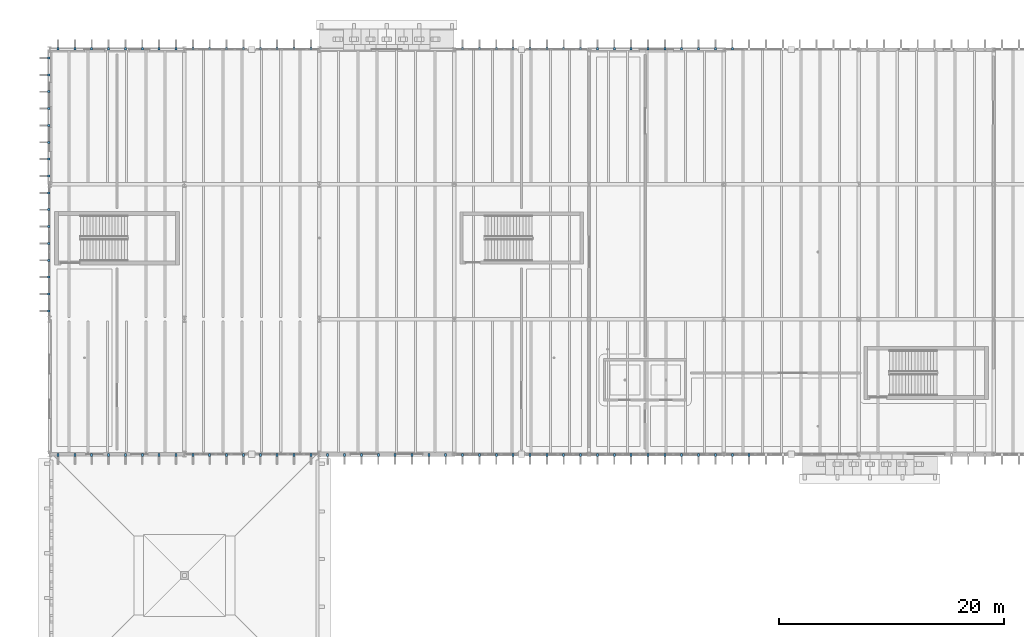
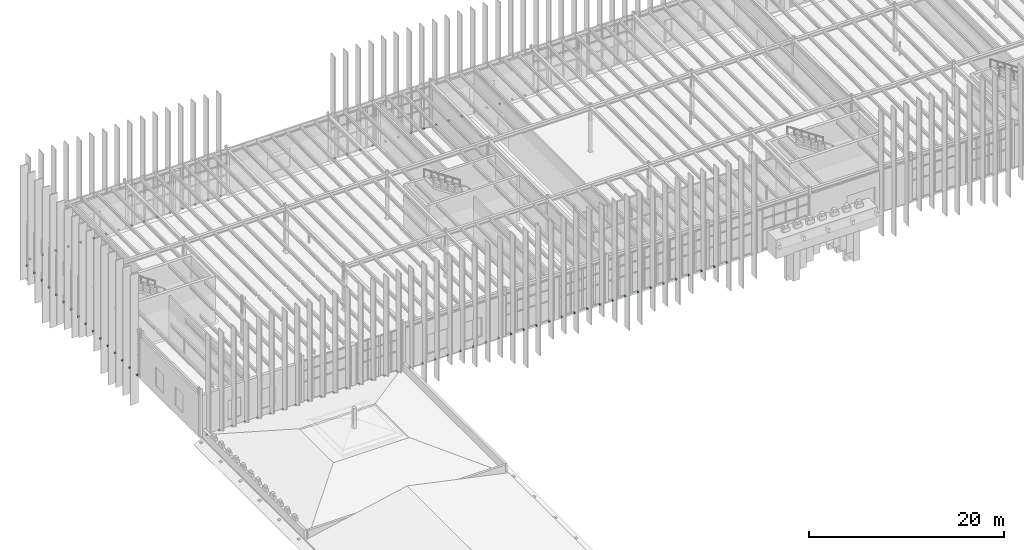
# One storey, part 57 of 83: 91 discrete accessories.
"""IFC4 building model written with IfcOpenShell, lengths in metres."""

import ifcopenshell
import ifcopenshell.guid

model = None  # the IFC model being written
_history = None  # IfcOwnerHistory: only IFC2X3 demands one
_inside = {}  # id of a spatial element -> (the spatial element, [elements in it])
_under = {}  # id of a project, library or spatial element -> (it, [spatial elements below it])
_declared = {}  # id of a project -> (the project, [libraries it declares])
_typed = {}  # id of a type object -> (the type object, [elements of that type])
_made_of = {}  # id of a material, layer set ... -> (it, [elements and type objects made of it])


def new_model(schema):
    """Start an empty IFC model of exactly this schema.

    Asked for "IFC4X3", IfcOpenShell would pick the latest addendum, in which some entities
    have other attributes; the version numbers below select the first issue.
    IFC2X3 requires an IfcOwnerHistory on every rooted entity: one is made here for all.
    """
    global model, _history
    if schema == "IFC4X3":
        model = ifcopenshell.file(schema_version=(4, 3, 0, 0))
    else:
        model = ifcopenshell.file(schema=schema)
    _inside.clear()
    _under.clear()
    _declared.clear()
    _typed.clear()
    _made_of.clear()
    _history = None
    if model.schema == "IFC2X3":
        org = make("IfcOrganization", Name="unknown")
        user = make(
            "IfcPersonAndOrganization",
            ThePerson=make("IfcPerson", FamilyName="unknown"),
            TheOrganization=org,
        )
        app = make(
            "IfcApplication",
            ApplicationDeveloper=org,
            Version="unknown",
            ApplicationFullName="unknown",
            ApplicationIdentifier="unknown",
        )
        _history = make(
            "IfcOwnerHistory",
            OwningUser=user,
            OwningApplication=app,
            ChangeAction="ADDED",
            CreationDate=0,
        )
    return model


def make(cls, **values):
    """One entity of the class cls with the attributes given. An attribute that is None is left unset."""
    return model.create_entity(
        cls, **{name: value for name, value in values.items() if value is not None}
    )


def rooted(cls, **values):
    """An entity with a GlobalId (a new one), such as an element, a storey or a relation."""
    return make(cls, GlobalId=ifcopenshell.guid.new(), OwnerHistory=_history, **values)


def si_unit(unit_type, name, prefix=None):
    """IfcSIUnit, for example si_unit("LENGTHUNIT", "METRE", prefix="MILLI")."""
    return make("IfcSIUnit", UnitType=unit_type, Prefix=prefix, Name=name)


def assignment(units):
    """IfcUnitAssignment: the units of a project."""
    return None if units is None else make("IfcUnitAssignment", Units=units)


def point(xyz):
    """IfcCartesianPoint."""
    return None if xyz is None else make("IfcCartesianPoint", Coordinates=xyz)


def direction(xyz):
    """IfcDirection."""
    return None if xyz is None else make("IfcDirection", DirectionRatios=xyz)


def frame(location, z_axis=None, x_axis=None):
    """IfcAxis2Placement3D, a coordinate frame: its origin and axes. An axis left out is left unset."""
    return make(
        "IfcAxis2Placement3D",
        Location=point(location),
        Axis=direction(z_axis),
        RefDirection=direction(x_axis),
    )


def frame_2d(location, x_axis=None):
    """IfcAxis2Placement2D, a coordinate frame in the plane: its origin and x axis."""
    return make(
        "IfcAxis2Placement2D", Location=point(location), RefDirection=direction(x_axis)
    )


def origin():
    """The frame at (0, 0, 0) with its axes left unset."""
    return frame((0.0, 0.0, 0.0))


def origin_2d():
    """The frame at (0, 0) in the plane with its x axis left unset."""
    return frame_2d((0.0, 0.0))


def place(relative_to, where):
    """IfcLocalPlacement: puts the frame where relative to a parent placement (None: the world)."""
    return make(
        "IfcLocalPlacement", PlacementRelTo=relative_to, RelativePlacement=where
    )


def context(
    kind, dimensions, precision=None, world=None, true_north=None, identifier=None
):
    """IfcGeometricRepresentationContext, for example the 3D "Model" context."""
    return make(
        "IfcGeometricRepresentationContext",
        ContextIdentifier=identifier,
        ContextType=kind,
        CoordinateSpaceDimension=dimensions,
        Precision=precision,
        WorldCoordinateSystem=world,
        TrueNorth=true_north,
    )


def subcontext(parent, identifier, kind, view, scale=None):
    """IfcGeometricRepresentationSubContext, for example "Body" below "Model"."""
    return make(
        "IfcGeometricRepresentationSubContext",
        ContextIdentifier=identifier,
        ContextType=kind,
        ParentContext=parent,
        TargetScale=scale,
        TargetView=view,
    )


def project(units=None, contexts=None):
    """IfcProject with its units and contexts."""
    return rooted(
        "IfcProject",
        Name="project",
        RepresentationContexts=contexts,
        UnitsInContext=assignment(units),
    )


def spatial(cls, under=None, at=None, **own):
    """A site, building, storey or space (cls), placed at a placement, below another one or the project."""
    s = rooted(cls, ObjectPlacement=at, **own)
    if under is not None:
        _under.setdefault(under.id(), (under, []))[1].append(s)
    return s


def profile(cls, at=None, kind="AREA", **sizes):
    """A parametric profile (cls). Its sizes go by their IFC names, for example OverallWidth=200.0."""
    return make(cls, ProfileType=kind, Position=at, **sizes)


def rectangle(**sizes):
    """IfcRectangleProfileDef."""
    return profile("IfcRectangleProfileDef", **sizes)


def extrude(swept, where, along, depth):
    """IfcExtrudedAreaSolid: the profile swept, set in the frame where, extruded along a direction by depth."""
    return make(
        "IfcExtrudedAreaSolid",
        SweptArea=swept,
        Position=where,
        ExtrudedDirection=direction(along),
        Depth=depth,
    )


def shape(context_of_items, identifier, shape_type, items):
    """IfcShapeRepresentation: the items that make up one representation, for example the "Body"."""
    return make(
        "IfcShapeRepresentation",
        ContextOfItems=context_of_items,
        RepresentationIdentifier=identifier,
        RepresentationType=shape_type,
        Items=items,
    )


def material(Name=None, Category=None):
    """IfcMaterial."""
    return make("IfcMaterial", Name=Name, Category=Category)


def made_of(thing, what):
    """Note that an element or type object is made of a material, layer set ...; save() writes the relation."""
    if what is not None:
        _made_of.setdefault(what.id(), (what, []))[1].append(thing)
    return thing


def type_object(cls, material=None, **own):
    """A type object (cls), such as IfcWallType, which elements share."""
    return made_of(rooted(cls, **own), material)


def element(
    cls,
    number,
    at=None,
    inside=None,
    cuts=None,
    type_object=None,
    material=None,
    context=None,
    identifier="Body",
    shape_type=None,
    held_by="IfcProductDefinitionShape",
    body=None,
    shapes=None,
    **own,
):
    """One element of the class cls, such as IfcWall. Its Tag is "e" and its number.

    at: its placement. inside: the storey or other place that contains it. cuts: it is an
    opening in that element (IfcRelVoidsElement). A single representation is given by context,
    identifier, shape_type and body (its items); several are given by shapes. held_by: the class
    of the entity that holds the representations. save() writes the other relations.
    """
    e = rooted(cls, Tag="e%d" % number, ObjectPlacement=at, **own)
    if body is not None:
        shapes = [shape(context, identifier, shape_type, body)]
    if shapes is not None:
        e.Representation = make(held_by, Representations=shapes)
    if inside is not None:
        _inside.setdefault(inside.id(), (inside, []))[1].append(e)
    if cuts is not None:
        rooted(
            "IfcRelVoidsElement", RelatingBuildingElement=cuts, RelatedOpeningElement=e
        )
    if type_object is not None:
        _typed.setdefault(type_object.id(), (type_object, []))[1].append(e)
    return made_of(e, material)


def aggregate(whole, parts):
    """IfcRelAggregates: a whole, such as a stair, and the parts it consists of."""
    return rooted("IfcRelAggregates", RelatingObject=whole, RelatedObjects=parts)


def save(model, path):
    """Write the relations noted so far, then the file.

    IfcRelAggregates (storeys below a building ...), IfcRelContainedInSpatialStructure (elements
    in a storey), IfcRelDefinesByType, IfcRelAssociatesMaterial and IfcRelDeclares: one each for
    every whole, place, type object, material and project.
    """
    for whole, parts in _under.values():
        aggregate(whole, parts)
    for where, things in _inside.values():
        rooted(
            "IfcRelContainedInSpatialStructure",
            RelatedElements=things,
            RelatingStructure=where,
        )
    for kind, things in _typed.values():
        rooted("IfcRelDefinesByType", RelatedObjects=things, RelatingType=kind)
    for what, things in _made_of.values():
        rooted("IfcRelAssociatesMaterial", RelatedObjects=things, RelatingMaterial=what)
    for by, libraries in _declared.values():
        rooted("IfcRelDeclares", RelatingContext=by, RelatedDefinitions=libraries)
    model.write(path)


model = new_model("IFC4")

# Units and contexts
model_context = context("Model", 3, precision=1e-05, world=origin(), true_north=direction((0.0, 1.0)))
body_context = subcontext(model_context, "Body", "Model", "MODEL_VIEW")
ifc_project = project(units=[si_unit("LENGTHUNIT", "METRE"), si_unit("AREAUNIT", "SQUARE_METRE"), si_unit("VOLUMEUNIT", "CUBIC_METRE"), si_unit("PLANEANGLEUNIT", "RADIAN"), si_unit("MASSUNIT", "GRAM", prefix="KILO")], contexts=[model_context])

# Site, building, storey
site_placement = place(None, origin())
site = spatial("IfcSite", under=ifc_project, at=site_placement, CompositionType="ELEMENT")
building_placement = place(site_placement, origin())
building = spatial("IfcBuilding", under=site, at=building_placement, Name="Zlatogorsky Bluff Art Gallery", CompositionType="ELEMENT")
storey_placement = place(building_placement, frame((0.0, 0.0, 10.800048828125)))
storey = spatial("IfcBuildingStorey", under=building, at=storey_placement, Name="L02", CompositionType="ELEMENT", Elevation=10.800048828125)

# Discrete accessories
ifc_material = material(Name="Steel S355", Category="steel")
discrete_accessory_type = type_object("IfcDiscreteAccessoryType", Name="Stainless Facade Fin Bracket BRK-01", PredefinedType="BRACKET", material=ifc_material)
for number, where, z_axis, x_axis, name in (
    (1, (0.75, 83.919921875, -0.1298828125), (0.0, 0.0, 1.0), (1.0, 0.0, 0.0), "Fin slab-edge bracket S.001.L02"),
    (2, (2.25, 83.919921875, -0.1298828125), (0.0, 0.0, 1.0), (1.0, 0.0, 0.0), "Fin slab-edge bracket S.002.L02"),
    (3, (3.75, 83.919921875, -0.1298828125), (0.0, 0.0, 1.0), (1.0, 0.0, 0.0), "Fin slab-edge bracket S.003.L02"),
    (4, (5.25, 83.919921875, -0.1298828125), (0.0, 0.0, 1.0), (1.0, 0.0, 0.0), "Fin slab-edge bracket S.004.L02"),
    (5, (6.75, 83.919921875, -0.1298828125), (0.0, 0.0, 1.0), (1.0, 0.0, 0.0), "Fin slab-edge bracket S.005.L02"),
    (6, (8.25, 83.919921875, -0.1298828125), (0.0, 0.0, 1.0), (1.0, 0.0, 0.0), "Fin slab-edge bracket S.006.L02"),
    (7, (9.75, 83.919921875, -0.1298828125), (0.0, 0.0, 1.0), (1.0, 0.0, 0.0), "Fin slab-edge bracket S.007.L02"),
    (8, (11.25, 83.919921875, -0.1298828125), (0.0, 0.0, 1.0), (1.0, 0.0, 0.0), "Fin slab-edge bracket S.008.L02"),
    (9, (12.75, 83.919921875, -0.1298828125), (0.0, 0.0, 1.0), (1.0, 0.0, 0.0), "Fin slab-edge bracket S.009.L02"),
    (10, (14.25, 83.919921875, -0.1298828125), (0.0, 0.0, 1.0), (1.0, 0.0, 0.0), "Fin slab-edge bracket S.010.L02"),
    (11, (15.75, 83.919921875, -0.1298828125), (0.0, 0.0, 1.0), (1.0, 0.0, 0.0), "Fin slab-edge bracket S.011.L02"),
    (12, (17.25, 83.919921875, -0.1298828125), (0.0, 0.0, 1.0), (1.0, 0.0, 0.0), "Fin slab-edge bracket S.012.L02"),
    (13, (18.75, 83.919921875, -0.1298828125), (0.0, 0.0, 1.0), (1.0, 0.0, 0.0), "Fin slab-edge bracket S.013.L02"),
    (14, (20.25, 83.919921875, -0.1298828125), (0.0, 0.0, 1.0), (1.0, 0.0, 0.0), "Fin slab-edge bracket S.014.L02"),
    (15, (21.75, 83.919921875, -0.1298828125), (0.0, 0.0, 1.0), (1.0, 0.0, 0.0), "Fin slab-edge bracket S.015.L02"),
    (16, (23.25, 83.919921875, -0.1298828125), (0.0, 0.0, 1.0), (1.0, 0.0, 0.0), "Fin slab-edge bracket S.016.L02"),
    (17, (24.75, 83.919921875, -0.1298828125), (0.0, 0.0, 1.0), (1.0, 0.0, 0.0), "Fin slab-edge bracket S.017.L02"),
    (18, (26.25, 83.919921875, -0.1298828125), (0.0, 0.0, 1.0), (1.0, 0.0, 0.0), "Fin slab-edge bracket S.018.L02"),
    (19, (27.75, 83.919921875, -0.1298828125), (0.0, 0.0, 1.0), (1.0, 0.0, 0.0), "Fin slab-edge bracket S.019.L02"),
    (20, (29.25, 83.919921875, -0.1298828125), (0.0, 0.0, 1.0), (1.0, 0.0, 0.0), "Fin slab-edge bracket S.020.L02"),
    (21, (30.75, 83.919921875, -0.1298828125), (0.0, 0.0, 1.0), (1.0, 0.0, 0.0), "Fin slab-edge bracket S.021.L02"),
    (22, (32.25, 83.919921875, -0.1298828125), (0.0, 0.0, 1.0), (1.0, 0.0, 0.0), "Fin slab-edge bracket S.022.L02"),
    (23, (33.75, 83.919921875, -0.1298828125), (0.0, 0.0, 1.0), (1.0, 0.0, 0.0), "Fin slab-edge bracket S.023.L02"),
    (24, (35.25, 83.919921875, -0.1298828125), (0.0, 0.0, 1.0), (1.0, 0.0, 0.0), "Fin slab-edge bracket S.024.L02"),
    (25, (36.75, 83.919921875, -0.1298828125), (0.0, 0.0, 1.0), (1.0, 0.0, 0.0), "Fin slab-edge bracket S.025.L02"),
    (26, (38.25, 83.919921875, -0.1298828125), (0.0, 0.0, 1.0), (1.0, 0.0, 0.0), "Fin slab-edge bracket S.026.L02"),
    (27, (39.75, 83.919921875, -0.1298828125), (0.0, 0.0, 1.0), (1.0, 0.0, 0.0), "Fin slab-edge bracket S.027.L02"),
    (28, (41.25, 83.919921875, -0.1298828125), (0.0, 0.0, 1.0), (1.0, 0.0, 0.0), "Fin slab-edge bracket S.028.L02"),
    (29, (42.75, 83.919921875, -0.1298828125), (0.0, 0.0, 1.0), (1.0, 0.0, 0.0), "Fin slab-edge bracket S.029.L02"),
    (30, (44.25, 83.919921875, -0.1298828125), (0.0, 0.0, 1.0), (1.0, 0.0, 0.0), "Fin slab-edge bracket S.030.L02"),
    (31, (45.75, 83.919921875, -0.1298828125), (0.0, 0.0, 1.0), (1.0, 0.0, 0.0), "Fin slab-edge bracket S.031.L02"),
    (32, (47.25, 83.919921875, -0.1298828125), (0.0, 0.0, 1.0), (1.0, 0.0, 0.0), "Fin slab-edge bracket S.032.L02"),
    (33, (48.75, 83.919921875, -0.1298828125), (0.0, 0.0, 1.0), (1.0, 0.0, 0.0), "Fin slab-edge bracket S.033.L02"),
    (34, (50.25, 83.919921875, -0.1298828125), (0.0, 0.0, 1.0), (1.0, 0.0, 0.0), "Fin slab-edge bracket S.034.L02"),
    (35, (51.75, 83.919921875, -0.1298828125), (0.0, 0.0, 1.0), (1.0, 0.0, 0.0), "Fin slab-edge bracket S.035.L02"),
    (36, (53.25, 83.919921875, -0.1298828125), (0.0, 0.0, 1.0), (1.0, 0.0, 0.0), "Fin slab-edge bracket S.036.L02"),
    (37, (54.75, 83.919921875, -0.1298828125), (0.0, 0.0, 1.0), (1.0, 0.0, 0.0), "Fin slab-edge bracket S.037.L02"),
    (38, (56.25, 83.919921875, -0.1298828125), (0.0, 0.0, 1.0), (1.0, 0.0, 0.0), "Fin slab-edge bracket S.038.L02"),
    (39, (57.75, 83.919921875, -0.1298828125), (0.0, 0.0, 1.0), (1.0, 0.0, 0.0), "Fin slab-edge bracket S.039.L02"),
    (40, (59.25, 83.919921875, -0.1298828125), (0.0, 0.0, 1.0), (1.0, 0.0, 0.0), "Fin slab-edge bracket S.040.L02"),
    (41, (60.75, 83.919921875, -0.1298828125), (0.0, 0.0, 1.0), (1.0, 0.0, 0.0), "Fin slab-edge bracket S.041.L02"),
    (42, (62.25, 83.919921875, -0.1298828125), (0.0, 0.0, 1.0), (1.0, 0.0, 0.0), "Fin slab-edge bracket S.042.L02"),
    (43, (0.75, 120.080078125, -0.1298828125), (0.0, 0.0, 1.0), (1.0, 0.0, 0.0), "Fin slab-edge bracket N.072.L02"),
    (44, (2.25, 120.080078125, -0.1298828125), (0.0, 0.0, 1.0), (1.0, 0.0, 0.0), "Fin slab-edge bracket N.073.L02"),
    (45, (3.75, 120.080078125, -0.1298828125), (0.0, 0.0, 1.0), (1.0, 0.0, 0.0), "Fin slab-edge bracket N.074.L02"),
    (46, (5.25, 120.080078125, -0.1298828125), (0.0, 0.0, 1.0), (1.0, 0.0, 0.0), "Fin slab-edge bracket N.075.L02"),
    (47, (6.75, 120.080078125, -0.1298828125), (0.0, 0.0, 1.0), (1.0, 0.0, 0.0), "Fin slab-edge bracket N.076.L02"),
    (48, (8.25, 120.080078125, -0.1298828125), (0.0, 0.0, 1.0), (1.0, 0.0, 0.0), "Fin slab-edge bracket N.077.L02"),
    (49, (9.75, 120.080078125, -0.1298828125), (0.0, 0.0, 1.0), (1.0, 0.0, 0.0), "Fin slab-edge bracket N.078.L02"),
    (50, (11.25, 120.080078125, -0.1298828125), (0.0, 0.0, 1.0), (1.0, 0.0, 0.0), "Fin slab-edge bracket N.079.L02"),
    (51, (12.75, 120.080078125, -0.1298828125), (0.0, 0.0, 1.0), (1.0, 0.0, 0.0), "Fin slab-edge bracket N.080.L02"),
    (52, (14.25, 120.080078125, -0.1298828125), (0.0, 0.0, 1.0), (1.0, 0.0, 0.0), "Fin slab-edge bracket N.081.L02"),
    (53, (15.75, 120.080078125, -0.1298828125), (0.0, 0.0, 1.0), (1.0, 0.0, 0.0), "Fin slab-edge bracket N.082.L02"),
    (54, (17.25, 120.080078125, -0.1298828125), (0.0, 0.0, 1.0), (1.0, 0.0, 0.0), "Fin slab-edge bracket N.083.L02"),
    (55, (18.75, 120.080078125, -0.1298828125), (0.0, 0.0, 1.0), (1.0, 0.0, 0.0), "Fin slab-edge bracket N.084.L02"),
    (56, (20.25, 120.080078125, -0.1298828125), (0.0, 0.0, 1.0), (1.0, 0.0, 0.0), "Fin slab-edge bracket N.085.L02"),
    (57, (21.75, 120.080078125, -0.1298828125), (0.0, 0.0, 1.0), (1.0, 0.0, 0.0), "Fin slab-edge bracket N.086.L02"),
    (58, (23.25, 120.080078125, -0.1298828125), (0.0, 0.0, 1.0), (1.0, 0.0, 0.0), "Fin slab-edge bracket N.087.L02"),
    (59, (36.75, 120.080078125, -0.1298828125), (0.0, 0.0, 1.0), (1.0, 0.0, 0.0), "Fin slab-edge bracket N.088.L02"),
    (60, (38.25, 120.080078125, -0.1298828125), (0.0, 0.0, 1.0), (1.0, 0.0, 0.0), "Fin slab-edge bracket N.089.L02"),
    (61, (39.75, 120.080078125, -0.1298828125), (0.0, 0.0, 1.0), (1.0, 0.0, 0.0), "Fin slab-edge bracket N.090.L02"),
    (62, (41.25, 120.080078125, -0.1298828125), (0.0, 0.0, 1.0), (1.0, 0.0, 0.0), "Fin slab-edge bracket N.091.L02"),
    (63, (42.75, 120.080078125, -0.1298828125), (0.0, 0.0, 1.0), (1.0, 0.0, 0.0), "Fin slab-edge bracket N.092.L02"),
    (64, (44.25, 120.080078125, -0.1298828125), (0.0, 0.0, 1.0), (1.0, 0.0, 0.0), "Fin slab-edge bracket N.093.L02"),
    (65, (45.75, 120.080078125, -0.1298828125), (0.0, 0.0, 1.0), (1.0, 0.0, 0.0), "Fin slab-edge bracket N.094.L02"),
    (66, (47.25, 120.080078125, -0.1298828125), (0.0, 0.0, 1.0), (1.0, 0.0, 0.0), "Fin slab-edge bracket N.095.L02"),
    (67, (48.75, 120.080078125, -0.1298828125), (0.0, 0.0, 1.0), (1.0, 0.0, 0.0), "Fin slab-edge bracket N.096.L02"),
    (68, (50.25, 120.080078125, -0.1298828125), (0.0, 0.0, 1.0), (1.0, 0.0, 0.0), "Fin slab-edge bracket N.097.L02"),
    (69, (51.75, 120.080078125, -0.1298828125), (0.0, 0.0, 1.0), (1.0, 0.0, 0.0), "Fin slab-edge bracket N.098.L02"),
    (70, (53.25, 120.080078125, -0.1298828125), (0.0, 0.0, 1.0), (1.0, 0.0, 0.0), "Fin slab-edge bracket N.099.L02"),
    (71, (54.75, 120.080078125, -0.1298828125), (0.0, 0.0, 1.0), (1.0, 0.0, 0.0), "Fin slab-edge bracket N.100.L02"),
    (72, (56.25, 120.080078125, -0.1298828125), (0.0, 0.0, 1.0), (1.0, 0.0, 0.0), "Fin slab-edge bracket N.101.L02"),
    (73, (57.75, 120.080078125, -0.1298828125), (0.0, 0.0, 1.0), (1.0, 0.0, 0.0), "Fin slab-edge bracket N.102.L02"),
    (74, (59.25, 120.080078125, -0.1298828125), (0.0, 0.0, 1.0), (1.0, 0.0, 0.0), "Fin slab-edge bracket N.103.L02"),
    (75, (60.75, 120.080078125, -0.1298828125), (0.0, 0.0, 1.0), (1.0, 0.0, 0.0), "Fin slab-edge bracket N.104.L02"),
):
    element("IfcDiscreteAccessory", number, at=place(storey_placement, frame(where, z_axis=z_axis, x_axis=x_axis)), inside=storey, type_object=discrete_accessory_type, Name=name, PredefinedType="BRACKET", context=body_context, shape_type="SweptSolid", body=[
        extrude(rectangle(XDim=0.179931640625, YDim=0.239990234375, at=origin_2d()), origin(), (0.0, 0.0, 1.0), 0.179931640625),
    ])
for number, where, z_axis, x_axis, name in (
    (76, (-0.080078125, 96.75, -0.1298828125), (0.0, 0.0, 1.0), (1.0, 0.0, 0.0), "Fin slab-edge bracket W.144.L02"),
    (77, (-0.080078125, 98.25, -0.1298828125), (0.0, 0.0, 1.0), (1.0, 0.0, 0.0), "Fin slab-edge bracket W.145.L02"),
    (78, (-0.080078125, 99.75, -0.1298828125), (0.0, 0.0, 1.0), (1.0, 0.0, 0.0), "Fin slab-edge bracket W.146.L02"),
    (79, (-0.080078125, 101.25, -0.1298828125), (0.0, 0.0, 1.0), (1.0, 0.0, 0.0), "Fin slab-edge bracket W.147.L02"),
    (80, (-0.080078125, 102.75, -0.1298828125), (0.0, 0.0, 1.0), (1.0, 0.0, 0.0), "Fin slab-edge bracket W.148.L02"),
    (81, (-0.080078125, 104.25, -0.1298828125), (0.0, 0.0, 1.0), (1.0, 0.0, 0.0), "Fin slab-edge bracket W.149.L02"),
    (82, (-0.080078125, 105.75, -0.1298828125), (0.0, 0.0, 1.0), (1.0, 0.0, 0.0), "Fin slab-edge bracket W.150.L02"),
    (83, (-0.080078125, 107.25, -0.1298828125), (0.0, 0.0, 1.0), (1.0, 0.0, 0.0), "Fin slab-edge bracket W.151.L02"),
    (84, (-0.080078125, 108.75, -0.1298828125), (0.0, 0.0, 1.0), (1.0, 0.0, 0.0), "Fin slab-edge bracket W.152.L02"),
    (85, (-0.080078125, 110.25, -0.1298828125), (0.0, 0.0, 1.0), (1.0, 0.0, 0.0), "Fin slab-edge bracket W.153.L02"),
    (86, (-0.080078125, 111.75, -0.1298828125), (0.0, 0.0, 1.0), (1.0, 0.0, 0.0), "Fin slab-edge bracket W.154.L02"),
    (87, (-0.080078125, 113.25, -0.1298828125), (0.0, 0.0, 1.0), (1.0, 0.0, 0.0), "Fin slab-edge bracket W.155.L02"),
    (88, (-0.080078125, 114.75, -0.1298828125), (0.0, 0.0, 1.0), (1.0, 0.0, 0.0), "Fin slab-edge bracket W.156.L02"),
    (89, (-0.080078125, 116.25, -0.1298828125), (0.0, 0.0, 1.0), (1.0, 0.0, 0.0), "Fin slab-edge bracket W.157.L02"),
    (90, (-0.080078125, 117.75, -0.1298828125), (0.0, 0.0, 1.0), (1.0, 0.0, 0.0), "Fin slab-edge bracket W.158.L02"),
    (91, (-0.080078125, 119.25, -0.1298828125), (0.0, 0.0, 1.0), (1.0, 0.0, 0.0), "Fin slab-edge bracket W.159.L02"),
):
    element("IfcDiscreteAccessory", number, at=place(storey_placement, frame(where, z_axis=z_axis, x_axis=x_axis)), inside=storey, type_object=discrete_accessory_type, Name=name, PredefinedType="BRACKET", context=body_context, shape_type="SweptSolid", body=[
        extrude(rectangle(XDim=0.239990234375, YDim=0.179931640625, at=origin_2d()), origin(), (0.0, 0.0, 1.0), 0.179931640625),
    ])

save(model, "model.ifc")
